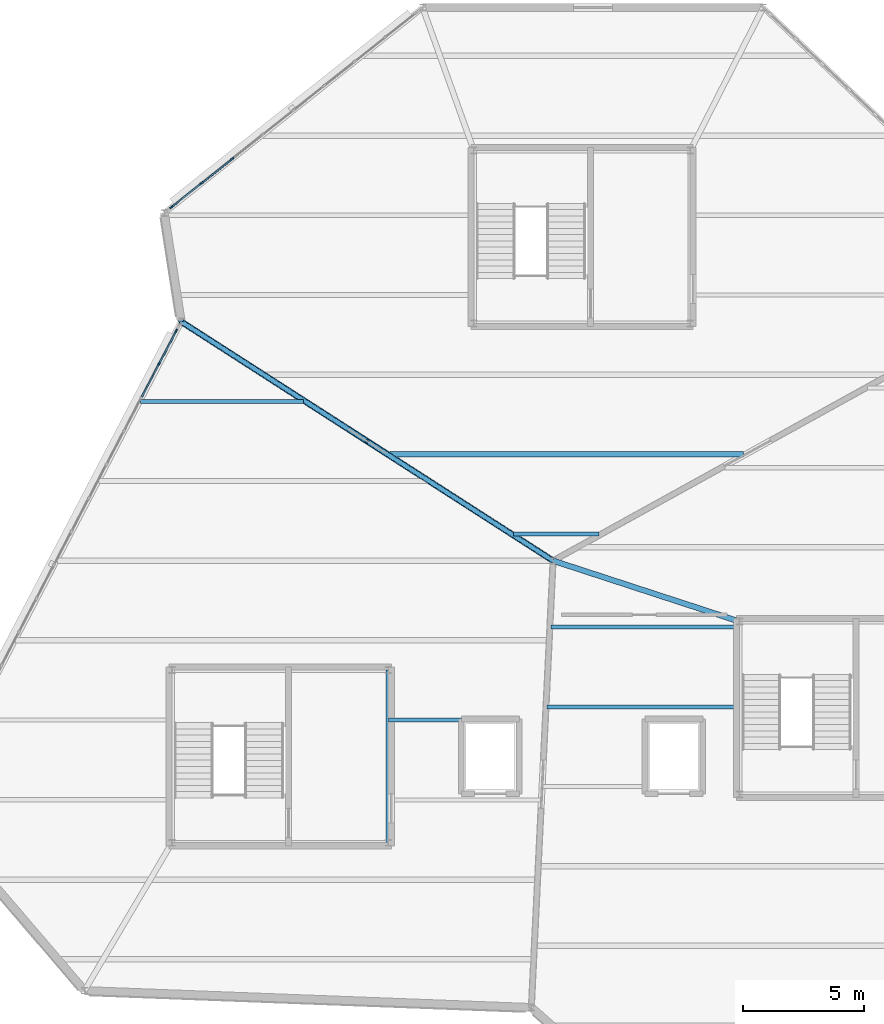
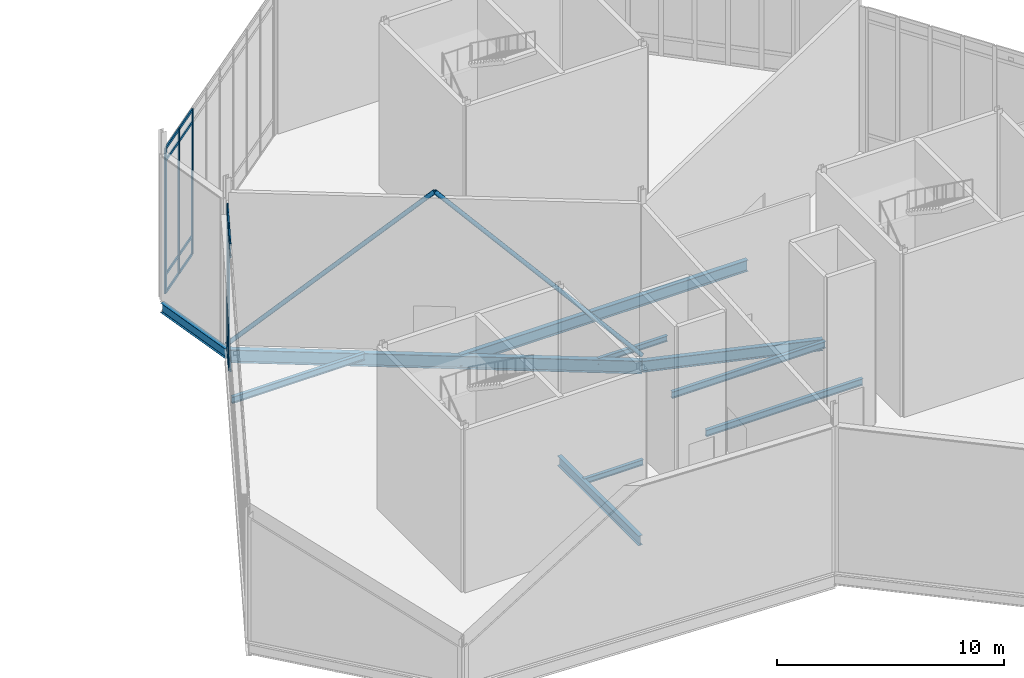
# One storey, part 36 of 66: 22 members, 10 beams, 2 elements without a shape of their own.
"""IFC4 building model written with IfcOpenShell, lengths in metres."""

import ifcopenshell
import ifcopenshell.guid

model = None  # the IFC model being written
_history = None  # IfcOwnerHistory: only IFC2X3 demands one
_inside = {}  # id of a spatial element -> (the spatial element, [elements in it])
_under = {}  # id of a project, library or spatial element -> (it, [spatial elements below it])
_declared = {}  # id of a project -> (the project, [libraries it declares])
_typed = {}  # id of a type object -> (the type object, [elements of that type])
_made_of = {}  # id of a material, layer set ... -> (it, [elements and type objects made of it])


def new_model(schema):
    """Start an empty IFC model of exactly this schema.

    Asked for "IFC4X3", IfcOpenShell would pick the latest addendum, in which some entities
    have other attributes; the version numbers below select the first issue.
    IFC2X3 requires an IfcOwnerHistory on every rooted entity: one is made here for all.
    """
    global model, _history
    if schema == "IFC4X3":
        model = ifcopenshell.file(schema_version=(4, 3, 0, 0))
    else:
        model = ifcopenshell.file(schema=schema)
    _inside.clear()
    _under.clear()
    _declared.clear()
    _typed.clear()
    _made_of.clear()
    _history = None
    if model.schema == "IFC2X3":
        org = make("IfcOrganization", Name="unknown")
        user = make(
            "IfcPersonAndOrganization",
            ThePerson=make("IfcPerson", FamilyName="unknown"),
            TheOrganization=org,
        )
        app = make(
            "IfcApplication",
            ApplicationDeveloper=org,
            Version="unknown",
            ApplicationFullName="unknown",
            ApplicationIdentifier="unknown",
        )
        _history = make(
            "IfcOwnerHistory",
            OwningUser=user,
            OwningApplication=app,
            ChangeAction="ADDED",
            CreationDate=0,
        )
    return model


def make(cls, **values):
    """One entity of the class cls with the attributes given. An attribute that is None is left unset."""
    return model.create_entity(
        cls, **{name: value for name, value in values.items() if value is not None}
    )


def rooted(cls, **values):
    """An entity with a GlobalId (a new one), such as an element, a storey or a relation."""
    return make(cls, GlobalId=ifcopenshell.guid.new(), OwnerHistory=_history, **values)


def si_unit(unit_type, name, prefix=None):
    """IfcSIUnit, for example si_unit("LENGTHUNIT", "METRE", prefix="MILLI")."""
    return make("IfcSIUnit", UnitType=unit_type, Prefix=prefix, Name=name)


def assignment(units):
    """IfcUnitAssignment: the units of a project."""
    return None if units is None else make("IfcUnitAssignment", Units=units)


def point(xyz):
    """IfcCartesianPoint."""
    return None if xyz is None else make("IfcCartesianPoint", Coordinates=xyz)


def direction(xyz):
    """IfcDirection."""
    return None if xyz is None else make("IfcDirection", DirectionRatios=xyz)


def frame(location, z_axis=None, x_axis=None):
    """IfcAxis2Placement3D, a coordinate frame: its origin and axes. An axis left out is left unset."""
    return make(
        "IfcAxis2Placement3D",
        Location=point(location),
        Axis=direction(z_axis),
        RefDirection=direction(x_axis),
    )


def frame_2d(location, x_axis=None):
    """IfcAxis2Placement2D, a coordinate frame in the plane: its origin and x axis."""
    return make(
        "IfcAxis2Placement2D", Location=point(location), RefDirection=direction(x_axis)
    )


def origin():
    """The frame at (0, 0, 0) with its axes left unset."""
    return frame((0.0, 0.0, 0.0))


def origin_2d():
    """The frame at (0, 0) in the plane with its x axis left unset."""
    return frame_2d((0.0, 0.0))


def place(relative_to, where):
    """IfcLocalPlacement: puts the frame where relative to a parent placement (None: the world)."""
    return make(
        "IfcLocalPlacement", PlacementRelTo=relative_to, RelativePlacement=where
    )


def context(
    kind, dimensions, precision=None, world=None, true_north=None, identifier=None
):
    """IfcGeometricRepresentationContext, for example the 3D "Model" context."""
    return make(
        "IfcGeometricRepresentationContext",
        ContextIdentifier=identifier,
        ContextType=kind,
        CoordinateSpaceDimension=dimensions,
        Precision=precision,
        WorldCoordinateSystem=world,
        TrueNorth=true_north,
    )


def subcontext(parent, identifier, kind, view, scale=None):
    """IfcGeometricRepresentationSubContext, for example "Body" below "Model"."""
    return make(
        "IfcGeometricRepresentationSubContext",
        ContextIdentifier=identifier,
        ContextType=kind,
        ParentContext=parent,
        TargetScale=scale,
        TargetView=view,
    )


def project(units=None, contexts=None):
    """IfcProject with its units and contexts."""
    return rooted(
        "IfcProject",
        Name="project",
        RepresentationContexts=contexts,
        UnitsInContext=assignment(units),
    )


def spatial(cls, under=None, at=None, **own):
    """A site, building, storey or space (cls), placed at a placement, below another one or the project."""
    s = rooted(cls, ObjectPlacement=at, **own)
    if under is not None:
        _under.setdefault(under.id(), (under, []))[1].append(s)
    return s


def profile(cls, at=None, kind="AREA", **sizes):
    """A parametric profile (cls). Its sizes go by their IFC names, for example OverallWidth=200.0."""
    return make(cls, ProfileType=kind, Position=at, **sizes)


def rectangle(**sizes):
    """IfcRectangleProfileDef."""
    return profile("IfcRectangleProfileDef", **sizes)


def hollow_circle(**sizes):
    """IfcCircleHollowProfileDef."""
    return profile("IfcCircleHollowProfileDef", **sizes)


def i_section(**sizes):
    """IfcIShapeProfileDef."""
    return profile("IfcIShapeProfileDef", **sizes)


def extrude(swept, where, along, depth):
    """IfcExtrudedAreaSolid: the profile swept, set in the frame where, extruded along a direction by depth."""
    return make(
        "IfcExtrudedAreaSolid",
        SweptArea=swept,
        Position=where,
        ExtrudedDirection=direction(along),
        Depth=depth,
    )


def shape(context_of_items, identifier, shape_type, items):
    """IfcShapeRepresentation: the items that make up one representation, for example the "Body"."""
    return make(
        "IfcShapeRepresentation",
        ContextOfItems=context_of_items,
        RepresentationIdentifier=identifier,
        RepresentationType=shape_type,
        Items=items,
    )


def material(Name=None, Category=None):
    """IfcMaterial."""
    return make("IfcMaterial", Name=Name, Category=Category)


def material_profile(
    of_material, cross_section, Name=None, Category=None, Priority=None
):
    """IfcMaterialProfile: a cross section and its material."""
    return make(
        "IfcMaterialProfile",
        Name=Name,
        Material=of_material,
        Profile=cross_section,
        Priority=Priority,
        Category=Category,
    )


def profile_set(profiles, Name=None, composite=None):
    """IfcMaterialProfileSet."""
    return make(
        "IfcMaterialProfileSet",
        Name=Name,
        MaterialProfiles=profiles,
        CompositeProfile=composite,
    )


def made_of(thing, what):
    """Note that an element or type object is made of a material, layer set ...; save() writes the relation."""
    if what is not None:
        _made_of.setdefault(what.id(), (what, []))[1].append(thing)
    return thing


def type_object(cls, material=None, **own):
    """A type object (cls), such as IfcWallType, which elements share."""
    return made_of(rooted(cls, **own), material)


def element(
    cls,
    number,
    at=None,
    inside=None,
    cuts=None,
    type_object=None,
    material=None,
    context=None,
    identifier="Body",
    shape_type=None,
    held_by="IfcProductDefinitionShape",
    body=None,
    shapes=None,
    **own,
):
    """One element of the class cls, such as IfcWall. Its Tag is "e" and its number.

    at: its placement. inside: the storey or other place that contains it. cuts: it is an
    opening in that element (IfcRelVoidsElement). A single representation is given by context,
    identifier, shape_type and body (its items); several are given by shapes. held_by: the class
    of the entity that holds the representations. save() writes the other relations.
    """
    e = rooted(cls, Tag="e%d" % number, ObjectPlacement=at, **own)
    if body is not None:
        shapes = [shape(context, identifier, shape_type, body)]
    if shapes is not None:
        e.Representation = make(held_by, Representations=shapes)
    if inside is not None:
        _inside.setdefault(inside.id(), (inside, []))[1].append(e)
    if cuts is not None:
        rooted(
            "IfcRelVoidsElement", RelatingBuildingElement=cuts, RelatedOpeningElement=e
        )
    if type_object is not None:
        _typed.setdefault(type_object.id(), (type_object, []))[1].append(e)
    return made_of(e, material)


def aggregate(whole, parts):
    """IfcRelAggregates: a whole, such as a stair, and the parts it consists of."""
    return rooted("IfcRelAggregates", RelatingObject=whole, RelatedObjects=parts)


def save(model, path):
    """Write the relations noted so far, then the file.

    IfcRelAggregates (storeys below a building ...), IfcRelContainedInSpatialStructure (elements
    in a storey), IfcRelDefinesByType, IfcRelAssociatesMaterial and IfcRelDeclares: one each for
    every whole, place, type object, material and project.
    """
    for whole, parts in _under.values():
        aggregate(whole, parts)
    for where, things in _inside.values():
        rooted(
            "IfcRelContainedInSpatialStructure",
            RelatedElements=things,
            RelatingStructure=where,
        )
    for kind, things in _typed.values():
        rooted("IfcRelDefinesByType", RelatedObjects=things, RelatingType=kind)
    for what, things in _made_of.values():
        rooted("IfcRelAssociatesMaterial", RelatedObjects=things, RelatingMaterial=what)
    for by, libraries in _declared.values():
        rooted("IfcRelDeclares", RelatingContext=by, RelatedDefinitions=libraries)
    model.write(path)


model = new_model("IFC4")

# Units and contexts
model_context = context("Model", 3, precision=1e-05, world=origin(), true_north=direction((0.0, 1.0)))
body_context = subcontext(model_context, "Body", "Model", "MODEL_VIEW")
ifc_project = project(units=[si_unit("LENGTHUNIT", "METRE"), si_unit("AREAUNIT", "SQUARE_METRE"), si_unit("VOLUMEUNIT", "CUBIC_METRE"), si_unit("PLANEANGLEUNIT", "RADIAN"), si_unit("MASSUNIT", "GRAM", prefix="KILO")], contexts=[model_context])

# Site, building, storey
site_placement = place(None, origin())
site = spatial("IfcSite", under=ifc_project, at=site_placement, CompositionType="ELEMENT")
building_placement = place(site_placement, origin())
building = spatial("IfcBuilding", under=site, at=building_placement, Name="Tameran Prism Museum", CompositionType="ELEMENT")
storey_placement = place(building_placement, frame((0.0, 0.0, 19.800048828125)))
storey = spatial("IfcBuildingStorey", under=building, at=storey_placement, Name="L04", CompositionType="ELEMENT", Elevation=19.800048828125)

# Beams
ifc_material_1 = material(Name="Steel Grade 300PLUS (300 MPa)", Category="steel")
ifc_material_profile_1 = material_profile(ifc_material_1, i_section(OverallWidth=0.1650390625, OverallDepth=0.303955078125, WebThickness=0.006103515625, FlangeThickness=0.01025390625, FilletRadius=0.011474609375, at=origin_2d()))
ifc_profile_set_1 = profile_set([ifc_material_profile_1])
beam_type_1 = type_object("IfcBeamType", Name="BM-J310B", PredefinedType="JOIST", material=ifc_profile_set_1)
beam_1_placement = place(storey_placement, frame((111.97998046875, 82.5, -0.39208984375), z_axis=(1.0, 0.0, 0.0), x_axis=(0.0, 1.0, 0.0)))
element("IfcBeam", 1, at=beam_1_placement, inside=storey, type_object=beam_type_1, Name="Floor Beam BM-1202", PredefinedType="JOIST", context=body_context, shape_type="SweptSolid", body=[
    extrude(i_section(OverallWidth=0.1650390625, OverallDepth=0.303955078125, WebThickness=0.006103515625, FlangeThickness=0.01025390625, FilletRadius=0.011474609375, at=origin_2d()), origin(), (0.0, 0.0, 1.0), 3.0400390625),
])
beam_2_placement = place(storey_placement, frame((117.1630859375, 90.199951171875, -0.39208984375), z_axis=(1.0, 0.0, 0.0), x_axis=(0.0, 1.0, 0.0)))
element("IfcBeam", 2, at=beam_2_placement, inside=storey, type_object=beam_type_1, Name="Floor Beam BM-1220", PredefinedType="JOIST", context=body_context, shape_type="SweptSolid", body=[
    extrude(i_section(OverallWidth=0.1650390625, OverallDepth=0.303955078125, WebThickness=0.006103515625, FlangeThickness=0.01025390625, FilletRadius=0.011474609375, at=origin_2d()), origin(), (0.0, 0.0, 1.0), 3.5439453125),
])
ifc_material_2 = material(Name="Steel Grade 300PLUS (300 MPa)", Category="steel")
ifc_material_profile_2 = material_profile(ifc_material_2, i_section(OverallWidth=0.172119140625, OverallDepth=0.35888671875, WebThickness=0.008056640625, FlangeThickness=0.012939453125, FilletRadius=0.011474609375, at=origin_2d()))
ifc_profile_set_2 = profile_set([ifc_material_profile_2])
beam_type_2 = type_object("IfcBeamType", Name="BM-J360A", PredefinedType="JOIST", material=ifc_profile_set_2)
beam_3_placement = place(storey_placement, frame((118.7060546875, 86.35009765625, -0.41943359375), z_axis=(1.0, 0.0, 0.0), x_axis=(0.0, 1.0, 0.0)))
element("IfcBeam", 3, at=beam_3_placement, inside=storey, type_object=beam_type_2, Name="Floor Beam BM-1215", PredefinedType="JOIST", context=body_context, shape_type="SweptSolid", body=[
    extrude(i_section(OverallWidth=0.172119140625, OverallDepth=0.35888671875, WebThickness=0.008056640625, FlangeThickness=0.012939453125, FilletRadius=0.011474609375, at=origin_2d()), origin(), (0.0, 0.0, 1.0), 7.81396484375),
])
ifc_material_3 = material(Name="Steel Grade 300PLUS (300 MPa)", Category="steel")
ifc_material_profile_3 = material_profile(ifc_material_3, i_section(OverallWidth=0.1708984375, OverallDepth=0.35595703125, WebThickness=0.00732421875, FlangeThickness=0.011474609375, FilletRadius=0.011474609375, at=origin_2d()))
ifc_profile_set_3 = profile_set([ifc_material_profile_3])
beam_type_3 = type_object("IfcBeamType", Name="BM-J360B", PredefinedType="JOIST", material=ifc_profile_set_3)
beam_4_placement = place(storey_placement, frame((101.720947265625, 95.699951171875, -0.41796875), z_axis=(1.0, 0.0, 0.0), x_axis=(0.0, 1.0, 0.0)))
element("IfcBeam", 4, at=beam_4_placement, inside=storey, type_object=beam_type_3, Name="Floor Beam BM-1206", PredefinedType="JOIST", context=body_context, shape_type="SweptSolid", body=[
    extrude(i_section(OverallWidth=0.1708984375, OverallDepth=0.35595703125, WebThickness=0.00732421875, FlangeThickness=0.011474609375, FilletRadius=0.011474609375, at=origin_2d()), origin(), (0.0, 0.0, 1.0), 6.738037109375),
])
beam_5_placement = place(storey_placement, frame((118.5458984375, 83.050048828125, -0.41796875), z_axis=(1.0, 0.0, 0.0), x_axis=(0.0, 1.0, 0.0)))
element("IfcBeam", 5, at=beam_5_placement, inside=storey, type_object=beam_type_3, Name="Floor Beam BM-1213", PredefinedType="JOIST", context=body_context, shape_type="SweptSolid", body=[
    extrude(i_section(OverallWidth=0.1708984375, OverallDepth=0.35595703125, WebThickness=0.00732421875, FlangeThickness=0.011474609375, FilletRadius=0.011474609375, at=origin_2d()), origin(), (0.0, 0.0, 1.0), 7.97412109375),
])
ifc_material_4 = material(Name="Steel Grade 300PLUS (300 MPa)", Category="steel")
ifc_material_profile_4 = material_profile(ifc_material_4, i_section(OverallWidth=0.208984375, OverallDepth=0.528076171875, WebThickness=0.009521484375, FlangeThickness=0.01318359375, FilletRadius=0.013916015625, at=origin_2d()))
ifc_profile_set_4 = profile_set([ifc_material_profile_4])
beam_type_4 = type_object("IfcBeamType", Name="BM-SP530B", PredefinedType="SPANDREL", material=ifc_profile_set_4)
beam_6_placement = place(storey_placement, frame((102.699951171875, 103.5, -0.504150390625), z_axis=(0.153696537817, -0.988118097326, 0.0), x_axis=(0.988118097326, 0.153696537817, 0.0)))
element("IfcBeam", 6, at=beam_6_placement, inside=storey, type_object=beam_type_4, Name="Perimeter Spandrel SP-1154", PredefinedType="SPANDREL", context=body_context, shape_type="SweptSolid", body=[
    extrude(i_section(OverallWidth=0.208984375, OverallDepth=0.528076171875, WebThickness=0.009521484375, FlangeThickness=0.01318359375, FilletRadius=0.013916015625, at=origin_2d()), origin(), (0.0, 0.0, 1.0), 4.55419921875),
])
beam_7_placement = place(storey_placement, frame((111.97998046875, 77.419921875, -0.504150390625), z_axis=(0.0, 1.0, 0.0), x_axis=(-1.0, 0.0, 0.0)))
element("IfcBeam", 7, at=beam_7_placement, inside=storey, type_object=beam_type_4, Name="Core Ring Beam CTB-1178", PredefinedType="SPANDREL", context=body_context, shape_type="SweptSolid", body=[
    extrude(i_section(OverallWidth=0.208984375, OverallDepth=0.528076171875, WebThickness=0.009521484375, FlangeThickness=0.01318359375, FilletRadius=0.013916015625, at=origin_2d()), origin(), (0.0, 0.0, 1.0), 7.16015625),
])
ifc_material_5 = material(Name="Steel Grade 350 (350 MPa)", Category="steel")
ifc_material_profile_5 = material_profile(ifc_material_5, i_section(OverallWidth=0.25, OverallDepth=0.699951171875, WebThickness=0.010009765625, FlangeThickness=0.02001953125, at=origin_2d()))
ifc_profile_set_5 = profile_set([ifc_material_profile_5])
beam_type_5 = type_object("IfcBeamType", Name="BM-SP700", PredefinedType="SPANDREL", material=ifc_profile_set_5)
beam_8_placement = place(storey_placement, frame((118.800048828125, 89.10009765625, -0.590087890625), z_axis=(-0.841183241423, 0.540750177392, 0.0), x_axis=(-0.540750177392, -0.841183241423, 0.0)))
element("IfcBeam", 8, at=beam_8_placement, inside=storey, type_object=beam_type_5, Name="Perimeter Spandrel SP-1142", PredefinedType="SPANDREL", context=body_context, shape_type="SweptSolid", body=[
    extrude(i_section(OverallWidth=0.25, OverallDepth=0.699951171875, WebThickness=0.010009765625, FlangeThickness=0.02001953125, at=origin_2d()), origin(), (0.0, 0.0, 1.0), 18.3076171875),
])
ifc_material_6 = material(Name="Steel Grade 300PLUS (300 MPa)", Category="steel")
ifc_material_profile_6 = material_profile(ifc_material_6, i_section(OverallWidth=0.22900390625, OverallDepth=0.612060546875, WebThickness=0.011962890625, FlangeThickness=0.01953125, FilletRadius=0.013916015625, at=origin_2d()))
ifc_profile_set_6 = profile_set([ifc_material_profile_6])
beam_type_6 = type_object("IfcBeamType", Name="BM-UB610A", PredefinedType="BEAM", material=ifc_profile_set_6)
beam_9_placement = place(storey_placement, frame((126.52001953125, 86.580078125, -0.56005859375), z_axis=(-0.950634056225, 0.310314181346, 0.0), x_axis=(-0.310314181346, -0.950634056225, 0.0)))
element("IfcBeam", 9, at=beam_9_placement, inside=storey, type_object=beam_type_6, Name="Frame Tie Girder FG-1397", PredefinedType="BEAM", context=body_context, shape_type="SweptSolid", body=[
    extrude(i_section(OverallWidth=0.22900390625, OverallDepth=0.612060546875, WebThickness=0.011962890625, FlangeThickness=0.01953125, FilletRadius=0.013916015625, at=origin_2d()), origin(), (0.0, 0.0, 1.0), 8.120849609375),
])
ifc_material_7 = material(Name="Steel Grade 300PLUS (300 MPa)", Category="steel")
ifc_material_profile_7 = material_profile(ifc_material_7, i_section(OverallWidth=0.22802734375, OverallDepth=0.60693359375, WebThickness=0.01123046875, FlangeThickness=0.017333984375, FilletRadius=0.013916015625, at=origin_2d()))
ifc_profile_set_7 = profile_set([ifc_material_profile_7])
beam_type_7 = type_object("IfcBeamType", Name="BM-UB610B", PredefinedType="BEAM", material=ifc_profile_set_7)
beam_10_placement = place(storey_placement, frame((112.030029296875, 93.5, -0.54345703125), z_axis=(1.0, 0.0, 0.0), x_axis=(0.0, 1.0, 0.0)))
element("IfcBeam", 10, at=beam_10_placement, inside=storey, type_object=beam_type_7, Name="Floor Beam BM-1221", PredefinedType="BEAM", context=body_context, shape_type="SweptSolid", body=[
    extrude(i_section(OverallWidth=0.22802734375, OverallDepth=0.60693359375, WebThickness=0.01123046875, FlangeThickness=0.017333984375, FilletRadius=0.013916015625, at=origin_2d()), origin(), (0.0, 0.0, 1.0), 14.64697265625),
])

# Curtain wall, members
ifc_material_8 = material(Name="Anodised Aluminium 6063-T6 and Cyclone Solar Glass", Category="aluminium")
curtain_wall_type_1 = type_object("IfcCurtainWallType", Name="CW-FAC-2192x782", PredefinedType="USERDEFINED", material=ifc_material_8)
curtain_wall_1_placement = place(storey_placement, origin())
curtain_wall_1 = element("IfcCurtainWall", 11, at=curtain_wall_1_placement, inside=storey, type_object=curtain_wall_type_1, Name="Unitised Curtain Wall CW-151", ObjectType="UNITISED CURTAIN WALL", PredefinedType="USERDEFINED")
ifc_material_9 = material(Name="Anodised Aluminium Alloy 6063-T6", Category="aluminium")
ifc_material_profile_8 = material_profile(ifc_material_9, rectangle(XDim=0.06494140625, YDim=0.159912109375, at=origin_2d()))
ifc_profile_set_8 = profile_set([ifc_material_profile_8])
member_type_1 = type_object("IfcMemberType", Name="CW-MUL-A", PredefinedType="MULLION", material=ifc_profile_set_8)
member_1_placement = place(storey_placement, frame((102.485107421875, 97.249267578125, 0.0), z_axis=(0.0, 0.0, 1.0), x_axis=(-0.886356952612, 0.463002540551, 0.0)))
member_1 = element("IfcMember", 12, at=member_1_placement, type_object=member_type_1, Name="CW-151 mullion 14", PredefinedType="MULLION", context=body_context, shape_type="SweptSolid", body=[
    extrude(rectangle(XDim=0.06494140625, YDim=0.159912109375, at=origin_2d()), origin(), (0.0, 0.0, 1.0), 7.820068359375),
])
member_2_placement = place(storey_placement, frame((103.195068359375, 98.608154296875, 0.0), z_axis=(0.0, 0.0, 1.0), x_axis=(-0.886356952612, 0.463002540551, 0.0)))
member_2 = element("IfcMember", 13, at=member_2_placement, type_object=member_type_1, Name="CW-151 mullion 15", PredefinedType="MULLION", context=body_context, shape_type="SweptSolid", body=[
    extrude(rectangle(XDim=0.06494140625, YDim=0.159912109375, at=origin_2d()), origin(), (0.0, 0.0, 1.0), 7.820068359375),
])

ifc_material_10 = material(Name="Anodised Aluminium 6063-T6 and Cyclone Solar Glass", Category="aluminium")
curtain_wall_type_2 = type_object("IfcCurtainWallType", Name="CW-FAC-1296x782", PredefinedType="USERDEFINED", material=ifc_material_10)
curtain_wall_2_placement = place(storey_placement, origin())
curtain_wall_2 = element("IfcCurtainWall", 14, at=curtain_wall_2_placement, inside=storey, type_object=curtain_wall_type_2, Name="Unitised Curtain Wall CW-155", ObjectType="UNITISED CURTAIN WALL", PredefinedType="USERDEFINED")
member_3_placement = place(storey_placement, frame((102.99951171875, 103.73828125, 0.0), z_axis=(0.0, 0.0, 1.0), x_axis=(-0.621982306183, 0.783031296178, 0.0)))
member_3 = element("IfcMember", 15, at=member_3_placement, type_object=member_type_1, Name="CW-155 mullion 1", PredefinedType="MULLION", context=body_context, shape_type="SweptSolid", body=[
    extrude(rectangle(XDim=0.06494140625, YDim=0.159912109375, at=origin_2d()), origin(), (0.0, 0.0, 1.0), 7.820068359375),
])
member_4_placement = place(storey_placement, frame((104.242919921875, 104.72607421875, 0.0), z_axis=(0.0, 0.0, 1.0), x_axis=(-0.621982306183, 0.783031296178, 0.0)))
member_4 = element("IfcMember", 16, at=member_4_placement, type_object=member_type_1, Name="CW-155 mullion 2", PredefinedType="MULLION", context=body_context, shape_type="SweptSolid", body=[
    extrude(rectangle(XDim=0.06494140625, YDim=0.159912109375, at=origin_2d()), origin(), (0.0, 0.0, 1.0), 7.820068359375),
])
member_5_placement = place(storey_placement, frame((105.511962890625, 105.73388671875, 0.0), z_axis=(0.0, 0.0, 1.0), x_axis=(-0.621982306183, 0.783031296178, 0.0)))
member_5 = element("IfcMember", 17, at=member_5_placement, type_object=member_type_1, Name="CW-155 mullion 3", PredefinedType="MULLION", context=body_context, shape_type="SweptSolid", body=[
    extrude(rectangle(XDim=0.06494140625, YDim=0.159912109375, at=origin_2d()), origin(), (0.0, 0.0, 1.0), 7.820068359375),
])

# Member
ifc_material_11 = material(Name="Anodised Aluminium Alloy 6063-T6", Category="aluminium")
ifc_material_profile_9 = material_profile(ifc_material_11, rectangle(XDim=0.06494140625, YDim=0.139892578125, at=origin_2d()))
ifc_profile_set_9 = profile_set([ifc_material_profile_9])
member_type_2 = type_object("IfcMemberType", Name="CW-TRN-A", PredefinedType="USERDEFINED", material=ifc_profile_set_9)
member_6_placement = place(storey_placement, frame((101.775390625, 95.890625, 1.0), z_axis=(0.463088647196, 0.886311968123, 0.0), x_axis=(-0.886311968123, 0.463088647196, 0.0)))
member_6 = element("IfcMember", 18, at=member_6_placement, type_object=member_type_2, Name="CW-151 transom 13.2", ObjectType="TRANSOM", PredefinedType="USERDEFINED", context=body_context, shape_type="SweptSolid", body=[
    extrude(rectangle(XDim=0.06494140625, YDim=0.139892578125, at=origin_2d()), origin(), (0.0, 0.0, 1.0), 1.50048828125),
])

member_7_placement = place(storey_placement, frame((101.775390625, 95.890625, 7.139892578125), z_axis=(0.463088647196, 0.886311968123, 0.0), x_axis=(-0.886311968123, 0.463088647196, 0.0)))
member_7 = element("IfcMember", 19, at=member_7_placement, type_object=member_type_2, Name="CW-151 transom 13.3", ObjectType="TRANSOM", PredefinedType="USERDEFINED", context=body_context, shape_type="SweptSolid", body=[
    extrude(rectangle(XDim=0.06494140625, YDim=0.139892578125, at=origin_2d()), origin(), (0.0, 0.0, 1.0), 1.50048828125),
])

member_8_placement = place(storey_placement, frame((101.775390625, 95.890625, 7.787353515625), z_axis=(0.463088647196, 0.886311968123, 0.0), x_axis=(-0.886311968123, 0.463088647196, 0.0)))
member_8 = element("IfcMember", 20, at=member_8_placement, type_object=member_type_2, Name="CW-151 transom 13.4", ObjectType="TRANSOM", PredefinedType="USERDEFINED", context=body_context, shape_type="SweptSolid", body=[
    extrude(rectangle(XDim=0.06494140625, YDim=0.139892578125, at=origin_2d()), origin(), (0.0, 0.0, 1.0), 1.50048828125),
])

member_9_placement = place(storey_placement, frame((102.500244140625, 97.278076171875, 0.032470703125), z_axis=(0.462975155635, 0.886371257016, 0.0), x_axis=(-0.886371257016, 0.462975155635, 0.0)))
member_9 = element("IfcMember", 21, at=member_9_placement, type_object=member_type_2, Name="CW-151 transom 14.1", ObjectType="TRANSOM", PredefinedType="USERDEFINED", context=body_context, shape_type="SweptSolid", body=[
    extrude(rectangle(XDim=0.06494140625, YDim=0.139892578125, at=origin_2d()), origin(), (0.0, 0.0, 1.0), 1.468017578125),
])

member_10_placement = place(storey_placement, frame((102.500244140625, 97.278076171875, 1.0), z_axis=(0.462975155635, 0.886371257016, 0.0), x_axis=(-0.886371257016, 0.462975155635, 0.0)))
member_10 = element("IfcMember", 22, at=member_10_placement, type_object=member_type_2, Name="CW-151 transom 14.2", ObjectType="TRANSOM", PredefinedType="USERDEFINED", context=body_context, shape_type="SweptSolid", body=[
    extrude(rectangle(XDim=0.06494140625, YDim=0.139892578125, at=origin_2d()), origin(), (0.0, 0.0, 1.0), 1.468017578125),
])

member_11_placement = place(storey_placement, frame((102.500244140625, 97.278076171875, 7.139892578125), z_axis=(0.462975155635, 0.886371257016, 0.0), x_axis=(-0.886371257016, 0.462975155635, 0.0)))
member_11 = element("IfcMember", 23, at=member_11_placement, type_object=member_type_2, Name="CW-151 transom 14.3", ObjectType="TRANSOM", PredefinedType="USERDEFINED", context=body_context, shape_type="SweptSolid", body=[
    extrude(rectangle(XDim=0.06494140625, YDim=0.139892578125, at=origin_2d()), origin(), (0.0, 0.0, 1.0), 1.468017578125),
])

member_12_placement = place(storey_placement, frame((102.500244140625, 97.278076171875, 7.787353515625), z_axis=(0.462975155635, 0.886371257016, 0.0), x_axis=(-0.886371257016, 0.462975155635, 0.0)))
member_12 = element("IfcMember", 24, at=member_12_placement, type_object=member_type_2, Name="CW-151 transom 14.4", ObjectType="TRANSOM", PredefinedType="USERDEFINED", context=body_context, shape_type="SweptSolid", body=[
    extrude(rectangle(XDim=0.06494140625, YDim=0.139892578125, at=origin_2d()), origin(), (0.0, 0.0, 1.0), 1.468017578125),
])

aggregate(curtain_wall_1, [member_1, member_2, member_6, member_7, member_8, member_9, member_10, member_11, member_12])

member_13_placement = place(storey_placement, frame((103.02490234375, 103.758544921875, 0.032470703125), z_axis=(0.783053443189, 0.621954423659, 0.0), x_axis=(-0.621954423659, 0.783053443189, 0.0)))
member_13 = element("IfcMember", 25, at=member_13_placement, type_object=member_type_2, Name="CW-155 transom 1.1", ObjectType="TRANSOM", PredefinedType="USERDEFINED", context=body_context, shape_type="SweptSolid", body=[
    extrude(rectangle(XDim=0.06494140625, YDim=0.139892578125, at=origin_2d()), origin(), (0.0, 0.0, 1.0), 1.52294921875),
])

member_14_placement = place(storey_placement, frame((103.02490234375, 103.758544921875, 1.0), z_axis=(0.783053443189, 0.621954423659, 0.0), x_axis=(-0.621954423659, 0.783053443189, 0.0)))
member_14 = element("IfcMember", 26, at=member_14_placement, type_object=member_type_2, Name="CW-155 transom 1.2", ObjectType="TRANSOM", PredefinedType="USERDEFINED", context=body_context, shape_type="SweptSolid", body=[
    extrude(rectangle(XDim=0.06494140625, YDim=0.139892578125, at=origin_2d()), origin(), (0.0, 0.0, 1.0), 1.52294921875),
])

member_15_placement = place(storey_placement, frame((103.02490234375, 103.758544921875, 7.139892578125), z_axis=(0.783053443189, 0.621954423659, 0.0), x_axis=(-0.621954423659, 0.783053443189, 0.0)))
member_15 = element("IfcMember", 27, at=member_15_placement, type_object=member_type_2, Name="CW-155 transom 1.3", ObjectType="TRANSOM", PredefinedType="USERDEFINED", context=body_context, shape_type="SweptSolid", body=[
    extrude(rectangle(XDim=0.06494140625, YDim=0.139892578125, at=origin_2d()), origin(), (0.0, 0.0, 1.0), 1.52294921875),
])

member_16_placement = place(storey_placement, frame((103.02490234375, 103.758544921875, 7.787353515625), z_axis=(0.783053443189, 0.621954423659, 0.0), x_axis=(-0.621954423659, 0.783053443189, 0.0)))
member_16 = element("IfcMember", 28, at=member_16_placement, type_object=member_type_2, Name="CW-155 transom 1.4", ObjectType="TRANSOM", PredefinedType="USERDEFINED", context=body_context, shape_type="SweptSolid", body=[
    extrude(rectangle(XDim=0.06494140625, YDim=0.139892578125, at=origin_2d()), origin(), (0.0, 0.0, 1.0), 1.52294921875),
])

member_17_placement = place(storey_placement, frame((104.2685546875, 104.74609375, 0.032470703125), z_axis=(0.782946725754, 0.622088759448, 0.0), x_axis=(-0.622088759448, 0.782946725754, 0.0)))
member_17 = element("IfcMember", 29, at=member_17_placement, type_object=member_type_2, Name="CW-155 transom 2.1", ObjectType="TRANSOM", PredefinedType="USERDEFINED", context=body_context, shape_type="SweptSolid", body=[
    extrude(rectangle(XDim=0.06494140625, YDim=0.139892578125, at=origin_2d()), origin(), (0.0, 0.0, 1.0), 1.5556640625),
])

member_18_placement = place(storey_placement, frame((104.2685546875, 104.74609375, 1.0), z_axis=(0.782946725754, 0.622088759448, 0.0), x_axis=(-0.622088759448, 0.782946725754, 0.0)))
member_18 = element("IfcMember", 30, at=member_18_placement, type_object=member_type_2, Name="CW-155 transom 2.2", ObjectType="TRANSOM", PredefinedType="USERDEFINED", context=body_context, shape_type="SweptSolid", body=[
    extrude(rectangle(XDim=0.06494140625, YDim=0.139892578125, at=origin_2d()), origin(), (0.0, 0.0, 1.0), 1.5556640625),
])

member_19_placement = place(storey_placement, frame((104.2685546875, 104.74609375, 7.139892578125), z_axis=(0.782946725754, 0.622088759448, 0.0), x_axis=(-0.622088759448, 0.782946725754, 0.0)))
member_19 = element("IfcMember", 31, at=member_19_placement, type_object=member_type_2, Name="CW-155 transom 2.3", ObjectType="TRANSOM", PredefinedType="USERDEFINED", context=body_context, shape_type="SweptSolid", body=[
    extrude(rectangle(XDim=0.06494140625, YDim=0.139892578125, at=origin_2d()), origin(), (0.0, 0.0, 1.0), 1.5556640625),
])

member_20_placement = place(storey_placement, frame((104.2685546875, 104.74609375, 7.787353515625), z_axis=(0.782946725754, 0.622088759448, 0.0), x_axis=(-0.622088759448, 0.782946725754, 0.0)))
member_20 = element("IfcMember", 32, at=member_20_placement, type_object=member_type_2, Name="CW-155 transom 2.4", ObjectType="TRANSOM", PredefinedType="USERDEFINED", context=body_context, shape_type="SweptSolid", body=[
    extrude(rectangle(XDim=0.06494140625, YDim=0.139892578125, at=origin_2d()), origin(), (0.0, 0.0, 1.0), 1.5556640625),
])

aggregate(curtain_wall_2, [member_3, member_4, member_5, member_13, member_14, member_15, member_16, member_17, member_18, member_19, member_20])

# Members
ifc_material_12 = material(Name="Steel Grade C350L0 (350 MPa)", Category="steel")
ifc_material_profile_10 = material_profile(ifc_material_12, hollow_circle(Radius=0.109619140625, WallThickness=0.00830078125, at=origin_2d()))
ifc_profile_set_10 = profile_set([ifc_material_profile_10])
member_type_3 = type_object("IfcMemberType", Name="MM-BR-CHS219", PredefinedType="BRACE", material=ifc_profile_set_10)
for number, where, z_axis, x_axis, name in (
    (33, (118.800048828125, 89.10009765625, 0.0), (-0.616407962966, 0.396260865885, 0.680454663706), (-0.540756243316, -0.841179341945, 0.0), "Lateral Chevron Brace CBF-021"),
    (34, (103.39990234375, 99.0, 0.0), (0.616420081025, -0.396256092035, 0.680446466105), (0.540744111576, 0.84118714077, 0.0), "Lateral Chevron Brace CBF-022"),
):
    element("IfcMember", number, at=place(storey_placement, frame(where, z_axis=z_axis, x_axis=x_axis)), inside=storey, type_object=member_type_3, Name=name, PredefinedType="BRACE", context=body_context, shape_type="SweptSolid", body=[
        extrude(hollow_circle(Radius=0.109619140625, WallThickness=0.00830078125, at=origin_2d()), origin(), (0.0, 0.0, 1.0), 12.49169921875),
    ])

save(model, "model.ifc")
